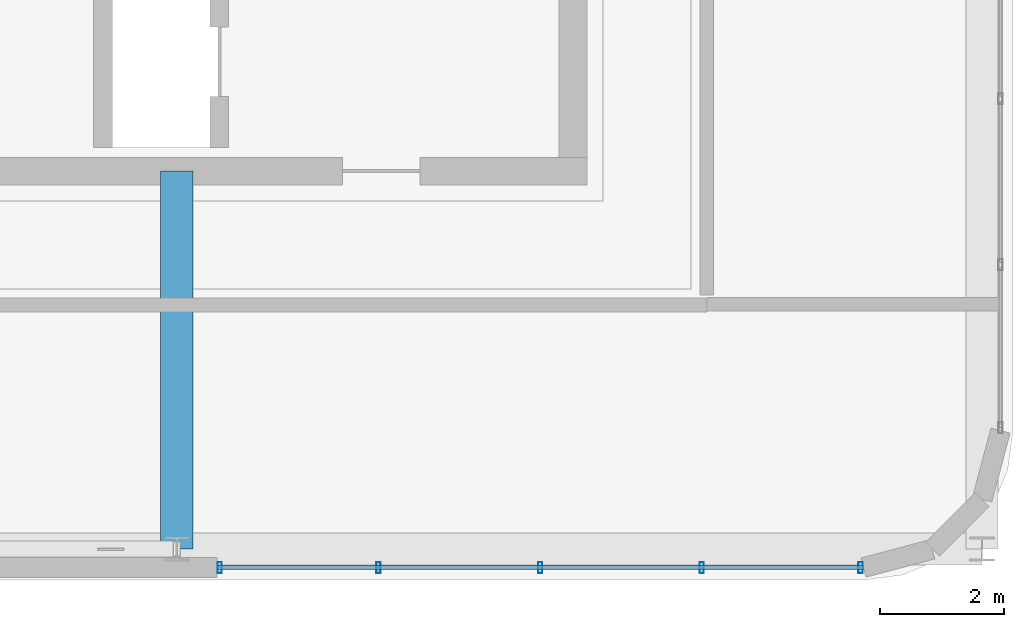
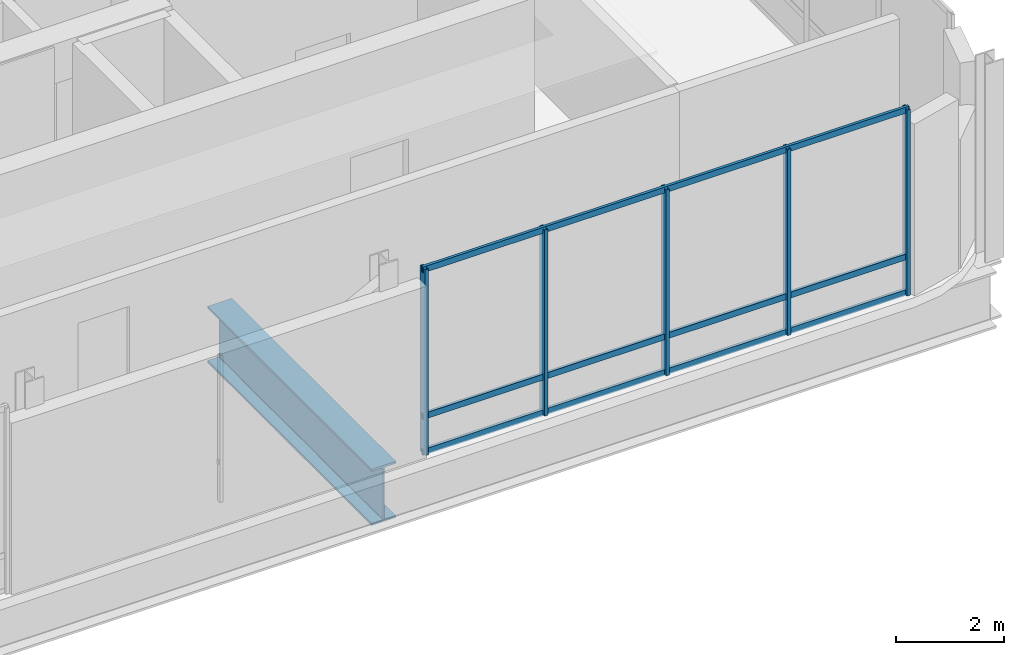
# One storey, part 7 of 25: 8 members, 1 beam, 1 element without a shape of its own.
"""IFC4 building model written with IfcOpenShell, lengths in metres."""

import ifcopenshell
import ifcopenshell.guid

model = None  # the IFC model being written
_history = None  # IfcOwnerHistory: only IFC2X3 demands one
_inside = {}  # id of a spatial element -> (the spatial element, [elements in it])
_under = {}  # id of a project, library or spatial element -> (it, [spatial elements below it])
_declared = {}  # id of a project -> (the project, [libraries it declares])
_typed = {}  # id of a type object -> (the type object, [elements of that type])
_made_of = {}  # id of a material, layer set ... -> (it, [elements and type objects made of it])


def new_model(schema):
    """Start an empty IFC model of exactly this schema.

    Asked for "IFC4X3", IfcOpenShell would pick the latest addendum, in which some entities
    have other attributes; the version numbers below select the first issue.
    IFC2X3 requires an IfcOwnerHistory on every rooted entity: one is made here for all.
    """
    global model, _history
    if schema == "IFC4X3":
        model = ifcopenshell.file(schema_version=(4, 3, 0, 0))
    else:
        model = ifcopenshell.file(schema=schema)
    _inside.clear()
    _under.clear()
    _declared.clear()
    _typed.clear()
    _made_of.clear()
    _history = None
    if model.schema == "IFC2X3":
        org = make("IfcOrganization", Name="unknown")
        user = make(
            "IfcPersonAndOrganization",
            ThePerson=make("IfcPerson", FamilyName="unknown"),
            TheOrganization=org,
        )
        app = make(
            "IfcApplication",
            ApplicationDeveloper=org,
            Version="unknown",
            ApplicationFullName="unknown",
            ApplicationIdentifier="unknown",
        )
        _history = make(
            "IfcOwnerHistory",
            OwningUser=user,
            OwningApplication=app,
            ChangeAction="ADDED",
            CreationDate=0,
        )
    return model


def make(cls, **values):
    """One entity of the class cls with the attributes given. An attribute that is None is left unset."""
    return model.create_entity(
        cls, **{name: value for name, value in values.items() if value is not None}
    )


def rooted(cls, **values):
    """An entity with a GlobalId (a new one), such as an element, a storey or a relation."""
    return make(cls, GlobalId=ifcopenshell.guid.new(), OwnerHistory=_history, **values)


def si_unit(unit_type, name, prefix=None):
    """IfcSIUnit, for example si_unit("LENGTHUNIT", "METRE", prefix="MILLI")."""
    return make("IfcSIUnit", UnitType=unit_type, Prefix=prefix, Name=name)


def assignment(units):
    """IfcUnitAssignment: the units of a project."""
    return None if units is None else make("IfcUnitAssignment", Units=units)


def point(xyz):
    """IfcCartesianPoint."""
    return None if xyz is None else make("IfcCartesianPoint", Coordinates=xyz)


def direction(xyz):
    """IfcDirection."""
    return None if xyz is None else make("IfcDirection", DirectionRatios=xyz)


def frame(location, z_axis=None, x_axis=None):
    """IfcAxis2Placement3D, a coordinate frame: its origin and axes. An axis left out is left unset."""
    return make(
        "IfcAxis2Placement3D",
        Location=point(location),
        Axis=direction(z_axis),
        RefDirection=direction(x_axis),
    )


def frame_2d(location, x_axis=None):
    """IfcAxis2Placement2D, a coordinate frame in the plane: its origin and x axis."""
    return make(
        "IfcAxis2Placement2D", Location=point(location), RefDirection=direction(x_axis)
    )


def origin():
    """The frame at (0, 0, 0) with its axes left unset."""
    return frame((0.0, 0.0, 0.0))


def origin_2d():
    """The frame at (0, 0) in the plane with its x axis left unset."""
    return frame_2d((0.0, 0.0))


def place(relative_to, where):
    """IfcLocalPlacement: puts the frame where relative to a parent placement (None: the world)."""
    return make(
        "IfcLocalPlacement", PlacementRelTo=relative_to, RelativePlacement=where
    )


def context(
    kind, dimensions, precision=None, world=None, true_north=None, identifier=None
):
    """IfcGeometricRepresentationContext, for example the 3D "Model" context."""
    return make(
        "IfcGeometricRepresentationContext",
        ContextIdentifier=identifier,
        ContextType=kind,
        CoordinateSpaceDimension=dimensions,
        Precision=precision,
        WorldCoordinateSystem=world,
        TrueNorth=true_north,
    )


def subcontext(parent, identifier, kind, view, scale=None):
    """IfcGeometricRepresentationSubContext, for example "Body" below "Model"."""
    return make(
        "IfcGeometricRepresentationSubContext",
        ContextIdentifier=identifier,
        ContextType=kind,
        ParentContext=parent,
        TargetScale=scale,
        TargetView=view,
    )


def project(units=None, contexts=None):
    """IfcProject with its units and contexts."""
    return rooted(
        "IfcProject",
        Name="project",
        RepresentationContexts=contexts,
        UnitsInContext=assignment(units),
    )


def spatial(cls, under=None, at=None, **own):
    """A site, building, storey or space (cls), placed at a placement, below another one or the project."""
    s = rooted(cls, ObjectPlacement=at, **own)
    if under is not None:
        _under.setdefault(under.id(), (under, []))[1].append(s)
    return s


def profile(cls, at=None, kind="AREA", **sizes):
    """A parametric profile (cls). Its sizes go by their IFC names, for example OverallWidth=200.0."""
    return make(cls, ProfileType=kind, Position=at, **sizes)


def hollow_rectangle(**sizes):
    """IfcRectangleHollowProfileDef."""
    return profile("IfcRectangleHollowProfileDef", **sizes)


def i_section(**sizes):
    """IfcIShapeProfileDef."""
    return profile("IfcIShapeProfileDef", **sizes)


def extrude(swept, where, along, depth):
    """IfcExtrudedAreaSolid: the profile swept, set in the frame where, extruded along a direction by depth."""
    return make(
        "IfcExtrudedAreaSolid",
        SweptArea=swept,
        Position=where,
        ExtrudedDirection=direction(along),
        Depth=depth,
    )


def shape(context_of_items, identifier, shape_type, items):
    """IfcShapeRepresentation: the items that make up one representation, for example the "Body"."""
    return make(
        "IfcShapeRepresentation",
        ContextOfItems=context_of_items,
        RepresentationIdentifier=identifier,
        RepresentationType=shape_type,
        Items=items,
    )


def material(Name=None, Category=None):
    """IfcMaterial."""
    return make("IfcMaterial", Name=Name, Category=Category)


def material_profile(
    of_material, cross_section, Name=None, Category=None, Priority=None
):
    """IfcMaterialProfile: a cross section and its material."""
    return make(
        "IfcMaterialProfile",
        Name=Name,
        Material=of_material,
        Profile=cross_section,
        Priority=Priority,
        Category=Category,
    )


def profile_set(profiles, Name=None, composite=None):
    """IfcMaterialProfileSet."""
    return make(
        "IfcMaterialProfileSet",
        Name=Name,
        MaterialProfiles=profiles,
        CompositeProfile=composite,
    )


def made_of(thing, what):
    """Note that an element or type object is made of a material, layer set ...; save() writes the relation."""
    if what is not None:
        _made_of.setdefault(what.id(), (what, []))[1].append(thing)
    return thing


def type_object(cls, material=None, **own):
    """A type object (cls), such as IfcWallType, which elements share."""
    return made_of(rooted(cls, **own), material)


def element(
    cls,
    number,
    at=None,
    inside=None,
    cuts=None,
    type_object=None,
    material=None,
    context=None,
    identifier="Body",
    shape_type=None,
    held_by="IfcProductDefinitionShape",
    body=None,
    shapes=None,
    **own,
):
    """One element of the class cls, such as IfcWall. Its Tag is "e" and its number.

    at: its placement. inside: the storey or other place that contains it. cuts: it is an
    opening in that element (IfcRelVoidsElement). A single representation is given by context,
    identifier, shape_type and body (its items); several are given by shapes. held_by: the class
    of the entity that holds the representations. save() writes the other relations.
    """
    e = rooted(cls, Tag="e%d" % number, ObjectPlacement=at, **own)
    if body is not None:
        shapes = [shape(context, identifier, shape_type, body)]
    if shapes is not None:
        e.Representation = make(held_by, Representations=shapes)
    if inside is not None:
        _inside.setdefault(inside.id(), (inside, []))[1].append(e)
    if cuts is not None:
        rooted(
            "IfcRelVoidsElement", RelatingBuildingElement=cuts, RelatedOpeningElement=e
        )
    if type_object is not None:
        _typed.setdefault(type_object.id(), (type_object, []))[1].append(e)
    return made_of(e, material)


def aggregate(whole, parts):
    """IfcRelAggregates: a whole, such as a stair, and the parts it consists of."""
    return rooted("IfcRelAggregates", RelatingObject=whole, RelatedObjects=parts)


def save(model, path):
    """Write the relations noted so far, then the file.

    IfcRelAggregates (storeys below a building ...), IfcRelContainedInSpatialStructure (elements
    in a storey), IfcRelDefinesByType, IfcRelAssociatesMaterial and IfcRelDeclares: one each for
    every whole, place, type object, material and project.
    """
    for whole, parts in _under.values():
        aggregate(whole, parts)
    for where, things in _inside.values():
        rooted(
            "IfcRelContainedInSpatialStructure",
            RelatedElements=things,
            RelatingStructure=where,
        )
    for kind, things in _typed.values():
        rooted("IfcRelDefinesByType", RelatedObjects=things, RelatingType=kind)
    for what, things in _made_of.values():
        rooted("IfcRelAssociatesMaterial", RelatedObjects=things, RelatingMaterial=what)
    for by, libraries in _declared.values():
        rooted("IfcRelDeclares", RelatingContext=by, RelatedDefinitions=libraries)
    model.write(path)


model = new_model("IFC4")

# Units and contexts
model_context = context("Model", 3, precision=1e-05, world=origin(), true_north=direction((0.0, 1.0)))
body_context = subcontext(model_context, "Body", "Model", "MODEL_VIEW")
ifc_project = project(units=[si_unit("LENGTHUNIT", "METRE"), si_unit("AREAUNIT", "SQUARE_METRE"), si_unit("VOLUMEUNIT", "CUBIC_METRE"), si_unit("PLANEANGLEUNIT", "RADIAN"), si_unit("MASSUNIT", "GRAM", prefix="KILO")], contexts=[model_context])

# Site, building, storey
site_placement = place(None, origin())
site = spatial("IfcSite", under=ifc_project, at=site_placement, CompositionType="ELEMENT")
building_placement = place(site_placement, origin())
building = spatial("IfcBuilding", under=site, at=building_placement, Name="Punatoya Terracotta Tower", CompositionType="ELEMENT")
storey_placement = place(building_placement, frame((0.0, 0.0, 357.300048828125)))
storey = spatial("IfcBuildingStorey", under=building, at=storey_placement, Name="L84", CompositionType="ELEMENT", Elevation=357.300048828125)

# Beam
ifc_material_1 = material(Name="Steel S460", Category="steel")
ifc_material_profile_1 = material_profile(ifc_material_1, i_section(OverallWidth=0.52001953125, OverallDepth=1.280029296875, WebThickness=0.031982421875, FlangeThickness=0.050048828125, FilletRadius=0.01806640625, at=origin_2d()))
ifc_profile_set_1 = profile_set([ifc_material_profile_1], Name="Steel S460")
beam_type = type_object("IfcBeamType", Name="BM-TG-NCK", PredefinedType="BEAM", material=ifc_profile_set_1)
beam_placement = place(storey_placement, frame((3.800048828125, -15.300048828125, -0.860107421875), z_axis=(0.0, 1.0, 0.0), x_axis=(-1.0, 0.0, 0.0)))
element("IfcBeam", 1, at=beam_placement, inside=storey, type_object=beam_type, Name="BM-L84-CS2", PredefinedType="BEAM", context=body_context, shape_type="SweptSolid", body=[
    extrude(i_section(OverallWidth=0.52001953125, OverallDepth=1.280029296875, WebThickness=0.031982421875, FlangeThickness=0.050048828125, FilletRadius=0.01806640625, at=origin_2d()), origin(), (0.0, 0.0, 1.0), 6.10009765625),
])

# Curtain wall, members
ifc_material_2 = material(Name="Aluminium 6063-T6 + Double Low-E Glass", Category="aluminium")
curtain_wall_type = type_object("IfcCurtainWallType", Name="CW-CRN", PredefinedType="NOTDEFINED", material=ifc_material_2)
curtain_wall_placement = place(storey_placement, origin())
curtain_wall = element("IfcCurtainWall", 2, at=curtain_wall_placement, inside=storey, type_object=curtain_wall_type, Name="L84 Curtain Wall CW-L84-S01-2", PredefinedType="NOTDEFINED")
ifc_material_3 = material(Name="Aluminium 6063-T6", Category="aluminium")
ifc_material_profile_2 = material_profile(ifc_material_3, hollow_rectangle(XDim=0.070068359375, YDim=0.179931640625, WallThickness=0.00390625, at=origin_2d()))
ifc_profile_set_2 = profile_set([ifc_material_profile_2], Name="Aluminium 6063-T6")
member_type_1 = type_object("IfcMemberType", Name="CW-MUL-M3", PredefinedType="MULLION", material=ifc_profile_set_2)
member_1_placement = place(storey_placement, frame((4.4951171875, -15.60009765625, 0.0), z_axis=(0.0, 0.0, 1.0), x_axis=(1.0, 0.0, 0.0)))
member_1 = element("IfcMember", 3, at=member_1_placement, type_object=member_type_1, Name="CW-L84-S01-2 Mullion 00", PredefinedType="MULLION", context=body_context, shape_type="SweptSolid", body=[
    extrude(hollow_rectangle(XDim=0.070068359375, YDim=0.179931640625, WallThickness=0.00390625, at=origin_2d()), origin(), (0.0, 0.0, 1.0), 4.219970703125),
])
member_2_placement = place(storey_placement, frame((7.05908203125, -15.60009765625, 0.0), z_axis=(0.0, 0.0, 1.0), x_axis=(1.0, 0.0, 0.0)))
member_2 = element("IfcMember", 4, at=member_2_placement, type_object=member_type_1, Name="CW-L84-S01-2 Mullion 01", PredefinedType="MULLION", context=body_context, shape_type="SweptSolid", body=[
    extrude(hollow_rectangle(XDim=0.070068359375, YDim=0.179931640625, WallThickness=0.00390625, at=origin_2d()), origin(), (0.0, 0.0, 1.0), 4.219970703125),
])
member_3_placement = place(storey_placement, frame((9.66845703125, -15.60009765625, 0.0), z_axis=(0.0, 0.0, 1.0), x_axis=(1.0, 0.0, 0.0)))
member_3 = element("IfcMember", 5, at=member_3_placement, type_object=member_type_1, Name="CW-L84-S01-2 Mullion 02", PredefinedType="MULLION", context=body_context, shape_type="SweptSolid", body=[
    extrude(hollow_rectangle(XDim=0.070068359375, YDim=0.179931640625, WallThickness=0.00390625, at=origin_2d()), origin(), (0.0, 0.0, 1.0), 4.219970703125),
])
member_4_placement = place(storey_placement, frame((12.277587890625, -15.60009765625, 0.0), z_axis=(0.0, 0.0, 1.0), x_axis=(1.0, 0.0, 0.0)))
member_4 = element("IfcMember", 6, at=member_4_placement, type_object=member_type_1, Name="CW-L84-S01-2 Mullion 03", PredefinedType="MULLION", context=body_context, shape_type="SweptSolid", body=[
    extrude(hollow_rectangle(XDim=0.070068359375, YDim=0.179931640625, WallThickness=0.00390625, at=origin_2d()), origin(), (0.0, 0.0, 1.0), 4.219970703125),
])
member_5_placement = place(storey_placement, frame((14.841796875, -15.60009765625, 0.0), z_axis=(0.0, 0.0, 1.0), x_axis=(1.0, 0.0, 0.0)))
member_5 = element("IfcMember", 7, at=member_5_placement, type_object=member_type_1, Name="CW-L84-S01-2 Mullion 04", PredefinedType="MULLION", context=body_context, shape_type="SweptSolid", body=[
    extrude(hollow_rectangle(XDim=0.070068359375, YDim=0.179931640625, WallThickness=0.00390625, at=origin_2d()), origin(), (0.0, 0.0, 1.0), 4.219970703125),
])
ifc_material_profile_3 = material_profile(ifc_material_3, hollow_rectangle(XDim=0.06201171875, YDim=0.135009765625, WallThickness=0.00390625, at=origin_2d()))
ifc_profile_set_3 = profile_set([ifc_material_profile_3], Name="Aluminium 6063-T6")
member_type_2 = type_object("IfcMemberType", Name="CW-TRN-CRN", PredefinedType="USERDEFINED", material=ifc_profile_set_3)
member_6_placement = place(storey_placement, frame((4.449951171875, -15.60009765625, 0.0400390625), z_axis=(1.0, 0.0, 0.0), x_axis=(0.0, 1.0, 0.0)))
member_6 = element("IfcMember", 8, at=member_6_placement, type_object=member_type_2, Name="CW-L84-S01-2 Transom 1", ObjectType="TRANSOM", PredefinedType="USERDEFINED", context=body_context, shape_type="SweptSolid", body=[
    extrude(hollow_rectangle(XDim=0.06201171875, YDim=0.135009765625, WallThickness=0.00390625, at=origin_2d()), origin(), (0.0, 0.0, 1.0), 10.43701171875),
])
member_7_placement = place(storey_placement, frame((4.449951171875, -15.60009765625, 0.849853515625), z_axis=(1.0, 0.0, 0.0), x_axis=(0.0, 1.0, 0.0)))
member_7 = element("IfcMember", 9, at=member_7_placement, type_object=member_type_2, Name="CW-L84-S01-2 Transom 2", ObjectType="TRANSOM", PredefinedType="USERDEFINED", context=body_context, shape_type="SweptSolid", body=[
    extrude(hollow_rectangle(XDim=0.06201171875, YDim=0.135009765625, WallThickness=0.00390625, at=origin_2d()), origin(), (0.0, 0.0, 1.0), 10.43701171875),
])
member_8_placement = place(storey_placement, frame((4.449951171875, -15.60009765625, 4.179931640625), z_axis=(1.0, 0.0, 0.0), x_axis=(0.0, 1.0, 0.0)))
member_8 = element("IfcMember", 10, at=member_8_placement, type_object=member_type_2, Name="CW-L84-S01-2 Transom 3", ObjectType="TRANSOM", PredefinedType="USERDEFINED", context=body_context, shape_type="SweptSolid", body=[
    extrude(hollow_rectangle(XDim=0.06201171875, YDim=0.135009765625, WallThickness=0.00390625, at=origin_2d()), origin(), (0.0, 0.0, 1.0), 10.43701171875),
])
aggregate(curtain_wall, [member_1, member_2, member_3, member_4, member_5, member_6, member_7, member_8])

save(model, "model.ifc")
